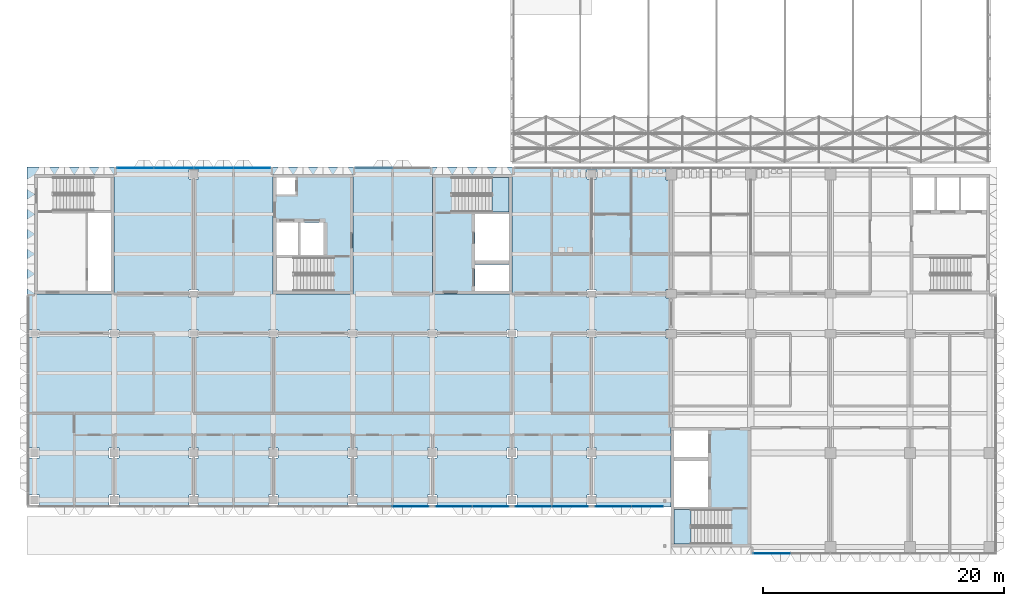
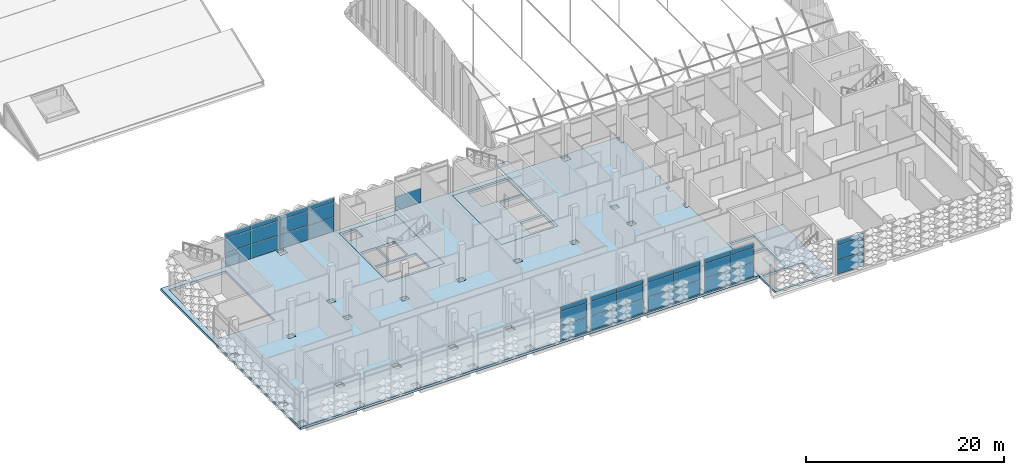
# One storey, part 42 of 109: 37 plates, 6 slabs, 9 elements without a shape of their own.
"""IFC4 building model written with IfcOpenShell, lengths in metres."""

from ifc_helpers import new_model, si_unit, direction, frame, origin, origin_2d, place, context, subcontext, project, spatial, polyline, rectangle, outline, extrude, material, layer, layer_set, type_object, element, aggregate, save


model = new_model("IFC4")

# Units and contexts
model_context = context("Model", 3, precision=1e-05, world=origin(), true_north=direction((0.0, 1.0)))
body_context = subcontext(model_context, "Body", "Model", "MODEL_VIEW")
ifc_project = project(units=[si_unit("LENGTHUNIT", "METRE"), si_unit("AREAUNIT", "SQUARE_METRE"), si_unit("VOLUMEUNIT", "CUBIC_METRE"), si_unit("PLANEANGLEUNIT", "RADIAN"), si_unit("MASSUNIT", "GRAM", prefix="KILO")], contexts=[model_context])

# Site, building, storey
site_placement = place(None, origin())
site = spatial("IfcSite", under=ifc_project, at=site_placement, CompositionType="ELEMENT")
building_placement = place(site_placement, origin())
building = spatial("IfcBuilding", under=site, at=building_placement, Name="Lantern Court Research Institute", CompositionType="ELEMENT")
storey_placement = place(building_placement, frame((0.0, 0.0, 14.39990234375)))
storey = spatial("IfcBuildingStorey", under=building, at=storey_placement, Name="L03", CompositionType="ELEMENT", Elevation=14.39990234375)

# Curtain wall, plate
ifc_material_1 = material(Name="Aluminium alloy 6063-T6", Category="aluminium")
curtain_wall_type_1 = type_object("IfcCurtainWallType", Name="Curtain wall 6150 x 4200 x 150 aluminium frame", PredefinedType="NOTDEFINED", material=ifc_material_1)
curtain_wall_1_placement = place(storey_placement, origin())
curtain_wall_1 = element("IfcCurtainWall", 1, at=curtain_wall_1_placement, inside=storey, type_object=curtain_wall_type_1, Name="Curtain wall CW052", PredefinedType="NOTDEFINED")
ifc_material_2 = material(Name="Insulated aluminium spandrel panel", Category="aluminium")
ifc_layer_1 = layer(ifc_material_2, 0.10009765625)
ifc_layer_set_1 = layer_set([ifc_layer_1], Name="Insulated aluminium spandrel panel")
plate_type_1 = type_object("IfcPlateType", Name="Insulated spandrel panel 100 mm for south sun", PredefinedType="CURTAIN_PANEL", material=ifc_layer_set_1)
plate_1_placement = place(storey_placement, frame((31.222412109375, -4.425048828125, 0.06005859375), z_axis=(0.0, 0.0, 1.0), x_axis=(-1.0, 0.0, 0.0)))
plate_1 = element("IfcPlate", 2, at=plate_1_placement, type_object=plate_type_1, Name="CW052 spandrel panel 2.1", PredefinedType="CURTAIN_PANEL", context=body_context, shape_type="SweptSolid", body=[
    extrude(rectangle(XDim=2.985107421875, YDim=0.10009765625, at=origin_2d()), origin(), (0.0, 0.0, 1.0), 1.7099609375),
])

# Curtain wall, plates
curtain_wall_2_placement = place(storey_placement, origin())
curtain_wall_2 = element("IfcCurtainWall", 3, at=curtain_wall_2_placement, inside=storey, type_object=curtain_wall_type_1, Name="Curtain wall CW053", PredefinedType="NOTDEFINED")
plate_2_placement = place(storey_placement, frame((34.777587890625, -4.425048828125, 0.06005859375), z_axis=(0.0, 0.0, 1.0), x_axis=(-1.0, 0.0, 0.0)))
plate_2 = element("IfcPlate", 4, at=plate_2_placement, type_object=plate_type_1, Name="CW053 spandrel panel 1.1", PredefinedType="CURTAIN_PANEL", context=body_context, shape_type="SweptSolid", body=[
    extrude(rectangle(XDim=2.985107421875, YDim=0.10009765625, at=origin_2d()), origin(), (0.0, 0.0, 1.0), 1.7099609375),
])
plate_3_placement = place(storey_placement, frame((37.822509765625, -4.425048828125, 0.06005859375), z_axis=(0.0, 0.0, 1.0), x_axis=(-1.0, 0.0, 0.0)))
plate_3 = element("IfcPlate", 5, at=plate_3_placement, type_object=plate_type_1, Name="CW053 spandrel panel 2.1", PredefinedType="CURTAIN_PANEL", context=body_context, shape_type="SweptSolid", body=[
    extrude(rectangle(XDim=2.985107421875, YDim=0.10009765625, at=origin_2d()), origin(), (0.0, 0.0, 1.0), 1.7099609375),
])

curtain_wall_3_placement = place(storey_placement, origin())
curtain_wall_3 = element("IfcCurtainWall", 6, at=curtain_wall_3_placement, inside=storey, type_object=curtain_wall_type_1, Name="Curtain wall CW054", PredefinedType="NOTDEFINED")
plate_4_placement = place(storey_placement, frame((41.37744140625, -4.425048828125, 0.06005859375), z_axis=(0.0, 0.0, 1.0), x_axis=(-1.0, 0.0, 0.0)))
plate_4 = element("IfcPlate", 7, at=plate_4_placement, type_object=plate_type_1, Name="CW054 spandrel panel 1.1", PredefinedType="CURTAIN_PANEL", context=body_context, shape_type="SweptSolid", body=[
    extrude(rectangle(XDim=2.985107421875, YDim=0.10009765625, at=origin_2d()), origin(), (0.0, 0.0, 1.0), 1.7099609375),
])
plate_5_placement = place(storey_placement, frame((44.422607421875, -4.425048828125, 0.06005859375), z_axis=(0.0, 0.0, 1.0), x_axis=(-1.0, 0.0, 0.0)))
plate_5 = element("IfcPlate", 8, at=plate_5_placement, type_object=plate_type_1, Name="CW054 spandrel panel 2.1", PredefinedType="CURTAIN_PANEL", context=body_context, shape_type="SweptSolid", body=[
    extrude(rectangle(XDim=2.985107421875, YDim=0.10009765625, at=origin_2d()), origin(), (0.0, 0.0, 1.0), 1.7099609375),
])

ifc_material_3 = material(Name="Aluminium alloy 6063-T6", Category="aluminium")
curtain_wall_type_2 = type_object("IfcCurtainWallType", Name="Curtain wall 5775 x 4200 x 150 aluminium frame", PredefinedType="NOTDEFINED", material=ifc_material_3)
curtain_wall_4_placement = place(storey_placement, origin())
curtain_wall_4 = element("IfcCurtainWall", 9, at=curtain_wall_4_placement, inside=storey, type_object=curtain_wall_type_2, Name="Curtain wall CW055", PredefinedType="NOTDEFINED")
plate_6_placement = place(storey_placement, frame((47.9775390625, -4.425048828125, 0.06005859375), z_axis=(0.0, 0.0, 1.0), x_axis=(-1.0, 0.0, 0.0)))
plate_6 = element("IfcPlate", 10, at=plate_6_placement, type_object=plate_type_1, Name="CW055 spandrel panel 1.1", PredefinedType="CURTAIN_PANEL", context=body_context, shape_type="SweptSolid", body=[
    extrude(rectangle(XDim=2.985107421875, YDim=0.10009765625, at=origin_2d()), origin(), (0.0, 0.0, 1.0), 1.7099609375),
])
plate_7_placement = place(storey_placement, frame((50.8349609375, -4.425048828125, 0.06005859375), z_axis=(0.0, 0.0, 1.0), x_axis=(-1.0, 0.0, 0.0)))
plate_7 = element("IfcPlate", 11, at=plate_7_placement, type_object=plate_type_1, Name="CW055 spandrel panel 2.1", PredefinedType="CURTAIN_PANEL", context=body_context, shape_type="SweptSolid", body=[
    extrude(rectangle(XDim=2.610107421875, YDim=0.10009765625, at=origin_2d()), origin(), (0.0, 0.0, 1.0), 1.7099609375),
])

# Curtain wall, plate
ifc_material_4 = material(Name="Aluminium alloy 6063-T6", Category="aluminium")
curtain_wall_type_3 = type_object("IfcCurtainWallType", Name="Curtain wall 20200 x 4200 x 150 aluminium frame", PredefinedType="NOTDEFINED", material=ifc_material_4)
curtain_wall_5_placement = place(storey_placement, origin())
curtain_wall_5 = element("IfcCurtainWall", 12, at=curtain_wall_5_placement, inside=storey, type_object=curtain_wall_type_3, Name="Curtain wall CW059", PredefinedType="NOTDEFINED")
plate_8_placement = place(storey_placement, frame((61.1650390625, -8.324951171875, 0.06005859375), z_axis=(0.0, 0.0, 1.0), x_axis=(-1.0, 0.0, 0.0)))
plate_8 = element("IfcPlate", 13, at=plate_8_placement, type_object=plate_type_1, Name="CW059 spandrel panel 1.1", PredefinedType="CURTAIN_PANEL", context=body_context, shape_type="SweptSolid", body=[
    extrude(rectangle(XDim=3.010009765625, YDim=0.10009765625, at=origin_2d()), origin(), (0.0, 0.0, 1.0), 1.7099609375),
])

# Curtain wall, plates
ifc_material_5 = material(Name="Aluminium alloy 6063-T6", Category="aluminium")
curtain_wall_type_4 = type_object("IfcCurtainWallType", Name="Curtain wall 12800 x 4200 x 150 aluminium frame", PredefinedType="NOTDEFINED", material=ifc_material_5)
curtain_wall_6_placement = place(storey_placement, origin())
curtain_wall_6 = element("IfcCurtainWall", 14, at=curtain_wall_6_placement, inside=storey, type_object=curtain_wall_type_4, Name="Curtain wall CW045", PredefinedType="NOTDEFINED")
ifc_material_6 = material(Name="Insulated aluminium spandrel panel", Category="aluminium")
ifc_layer_2 = layer(ifc_material_6, 0.06005859375)
ifc_layer_set_2 = layer_set([ifc_layer_2], Name="Insulated aluminium spandrel panel")
plate_type_2 = type_object("IfcPlateType", Name="Insulated spandrel panel 60 mm", PredefinedType="CURTAIN_PANEL", material=ifc_layer_set_2)
plate_9_placement = place(storey_placement, frame((8.364990234375, 23.625, 0.06005859375), z_axis=(0.0, 0.0, 1.0), x_axis=(1.0, 0.0, 0.0)))
plate_9 = element("IfcPlate", 15, at=plate_9_placement, type_object=plate_type_2, Name="CW045 spandrel panel 1.1", PredefinedType="CURTAIN_PANEL", context=body_context, shape_type="SweptSolid", body=[
    extrude(rectangle(XDim=3.010009765625, YDim=0.06005859375, at=origin_2d()), origin(), (0.0, 0.0, 1.0), 1.7099609375),
])
plate_10_placement = place(storey_placement, frame((11.550048828125, 23.625, 0.06005859375), z_axis=(0.0, 0.0, 1.0), x_axis=(1.0, 0.0, 0.0)))
plate_10 = element("IfcPlate", 16, at=plate_10_placement, type_object=plate_type_2, Name="CW045 spandrel panel 2.1", PredefinedType="CURTAIN_PANEL", context=body_context, shape_type="SweptSolid", body=[
    extrude(rectangle(XDim=3.239990234375, YDim=0.06005859375, at=origin_2d()), origin(), (0.0, 0.0, 1.0), 1.7099609375),
])
plate_11_placement = place(storey_placement, frame((14.85009765625, 23.625, 0.06005859375), z_axis=(0.0, 0.0, 1.0), x_axis=(1.0, 0.0, 0.0)))
plate_11 = element("IfcPlate", 17, at=plate_11_placement, type_object=plate_type_2, Name="CW045 spandrel panel 3.1", PredefinedType="CURTAIN_PANEL", context=body_context, shape_type="SweptSolid", body=[
    extrude(rectangle(XDim=3.239990234375, YDim=0.06005859375, at=origin_2d()), origin(), (0.0, 0.0, 1.0), 1.7099609375),
])
plate_12_placement = place(storey_placement, frame((18.034912109375, 23.625, 0.06005859375), z_axis=(0.0, 0.0, 1.0), x_axis=(1.0, 0.0, 0.0)))
plate_12 = element("IfcPlate", 18, at=plate_12_placement, type_object=plate_type_2, Name="CW045 spandrel panel 4.1", PredefinedType="CURTAIN_PANEL", context=body_context, shape_type="SweptSolid", body=[
    extrude(rectangle(XDim=3.010009765625, YDim=0.06005859375, at=origin_2d()), origin(), (0.0, 0.0, 1.0), 1.7099609375),
])

# Curtain wall, plate
ifc_material_7 = material(Name="Aluminium alloy 6063-T6", Category="aluminium")
curtain_wall_type_5 = type_object("IfcCurtainWallType", Name="Curtain wall 6200 x 4200 x 150 aluminium frame", PredefinedType="NOTDEFINED", material=ifc_material_7)
curtain_wall_7_placement = place(storey_placement, origin())
curtain_wall_7 = element("IfcCurtainWall", 19, at=curtain_wall_7_placement, inside=storey, type_object=curtain_wall_type_5, Name="Curtain wall CW046", PredefinedType="NOTDEFINED")
plate_13_placement = place(storey_placement, frame((28.1650390625, 23.625, 0.06005859375), z_axis=(0.0, 0.0, 1.0), x_axis=(1.0, 0.0, 0.0)))
plate_13 = element("IfcPlate", 20, at=plate_13_placement, type_object=plate_type_2, Name="CW046 spandrel panel 1.1", PredefinedType="CURTAIN_PANEL", context=body_context, shape_type="SweptSolid", body=[
    extrude(rectangle(XDim=3.010009765625, YDim=0.06005859375, at=origin_2d()), origin(), (0.0, 0.0, 1.0), 1.7099609375),
])
aggregate(curtain_wall_7, [plate_13])

# Plate
ifc_material_8 = material(Name="Laminated low-emissivity glass", Category="glass")
ifc_layer_3 = layer(ifc_material_8, 0.028076171875)
ifc_layer_set_3 = layer_set([ifc_layer_3], Name="Laminated low-emissivity glass")
plate_type_3 = type_object("IfcPlateType", Name="Laminated low-emissivity unit 28 mm", PredefinedType="CURTAIN_PANEL", material=ifc_layer_set_3)
plate_14_placement = place(storey_placement, frame((8.364990234375, 23.625, 1.830078125), z_axis=(0.0, 0.0, 1.0), x_axis=(1.0, 0.0, 0.0)))
plate_14 = element("IfcPlate", 21, at=plate_14_placement, type_object=plate_type_3, Name="CW045 glazed panel 1.2", PredefinedType="CURTAIN_PANEL", context=body_context, shape_type="SweptSolid", body=[
    extrude(rectangle(XDim=3.010009765625, YDim=0.028076171875, at=origin_2d()), origin(), (0.0, 0.0, 1.0), 1.739990234375),
])

plate_15_placement = place(storey_placement, frame((8.364990234375, 23.625, 3.6298828125), z_axis=(0.0, 0.0, 1.0), x_axis=(1.0, 0.0, 0.0)))
plate_15 = element("IfcPlate", 22, at=plate_15_placement, type_object=plate_type_3, Name="CW045 glazed panel 1.3", PredefinedType="CURTAIN_PANEL", context=body_context, shape_type="SweptSolid", body=[
    extrude(rectangle(XDim=3.010009765625, YDim=0.028076171875, at=origin_2d()), origin(), (0.0, 0.0, 1.0), 0.510009765625),
])

plate_16_placement = place(storey_placement, frame((11.550048828125, 23.625, 1.830078125), z_axis=(0.0, 0.0, 1.0), x_axis=(1.0, 0.0, 0.0)))
plate_16 = element("IfcPlate", 23, at=plate_16_placement, type_object=plate_type_3, Name="CW045 glazed panel 2.2", PredefinedType="CURTAIN_PANEL", context=body_context, shape_type="SweptSolid", body=[
    extrude(rectangle(XDim=3.239990234375, YDim=0.028076171875, at=origin_2d()), origin(), (0.0, 0.0, 1.0), 1.739990234375),
])

plate_17_placement = place(storey_placement, frame((11.550048828125, 23.625, 3.6298828125), z_axis=(0.0, 0.0, 1.0), x_axis=(1.0, 0.0, 0.0)))
plate_17 = element("IfcPlate", 24, at=plate_17_placement, type_object=plate_type_3, Name="CW045 glazed panel 2.3", PredefinedType="CURTAIN_PANEL", context=body_context, shape_type="SweptSolid", body=[
    extrude(rectangle(XDim=3.239990234375, YDim=0.028076171875, at=origin_2d()), origin(), (0.0, 0.0, 1.0), 0.510009765625),
])

plate_18_placement = place(storey_placement, frame((14.85009765625, 23.625, 1.830078125), z_axis=(0.0, 0.0, 1.0), x_axis=(1.0, 0.0, 0.0)))
plate_18 = element("IfcPlate", 25, at=plate_18_placement, type_object=plate_type_3, Name="CW045 glazed panel 3.2", PredefinedType="CURTAIN_PANEL", context=body_context, shape_type="SweptSolid", body=[
    extrude(rectangle(XDim=3.239990234375, YDim=0.028076171875, at=origin_2d()), origin(), (0.0, 0.0, 1.0), 1.739990234375),
])

plate_19_placement = place(storey_placement, frame((14.85009765625, 23.625, 3.6298828125), z_axis=(0.0, 0.0, 1.0), x_axis=(1.0, 0.0, 0.0)))
plate_19 = element("IfcPlate", 26, at=plate_19_placement, type_object=plate_type_3, Name="CW045 glazed panel 3.3", PredefinedType="CURTAIN_PANEL", context=body_context, shape_type="SweptSolid", body=[
    extrude(rectangle(XDim=3.239990234375, YDim=0.028076171875, at=origin_2d()), origin(), (0.0, 0.0, 1.0), 0.510009765625),
])

plate_20_placement = place(storey_placement, frame((18.034912109375, 23.625, 1.830078125), z_axis=(0.0, 0.0, 1.0), x_axis=(1.0, 0.0, 0.0)))
plate_20 = element("IfcPlate", 27, at=plate_20_placement, type_object=plate_type_3, Name="CW045 glazed panel 4.2", PredefinedType="CURTAIN_PANEL", context=body_context, shape_type="SweptSolid", body=[
    extrude(rectangle(XDim=3.010009765625, YDim=0.028076171875, at=origin_2d()), origin(), (0.0, 0.0, 1.0), 1.739990234375),
])

plate_21_placement = place(storey_placement, frame((18.034912109375, 23.625, 3.6298828125), z_axis=(0.0, 0.0, 1.0), x_axis=(1.0, 0.0, 0.0)))
plate_21 = element("IfcPlate", 28, at=plate_21_placement, type_object=plate_type_3, Name="CW045 glazed panel 4.3", PredefinedType="CURTAIN_PANEL", context=body_context, shape_type="SweptSolid", body=[
    extrude(rectangle(XDim=3.010009765625, YDim=0.028076171875, at=origin_2d()), origin(), (0.0, 0.0, 1.0), 0.510009765625),
])

aggregate(curtain_wall_6, [plate_9, plate_14, plate_15, plate_10, plate_16, plate_17, plate_11, plate_18, plate_19, plate_12, plate_20, plate_21])

# Slabs
ifc_material_9 = material(Name="Concrete C35/45", Category="concrete")
ifc_layer_4 = layer(ifc_material_9, 0.300048828125)
ifc_layer_set_4 = layer_set([ifc_layer_4], Name="Concrete C35/45")
slab_type_1 = type_object("IfcSlabType", Name="RC core floor slab 300", PredefinedType="FLOOR", material=ifc_layer_set_4)
slab_1_placement = place(storey_placement, frame((0.0, 0.0, -0.2998046875)))
element("IfcSlab", 29, at=slab_1_placement, inside=storey, type_object=slab_type_1, Name="Floor of core BC-M", PredefinedType="FLOOR", context=body_context, shape_type="SweptSolid", body=[
    extrude(outline(polyline([(19.800048828125, 13.199951171875), (26.39990234375, 13.199951171875), (26.39990234375, 23.10009765625), (19.800048828125, 23.10009765625), (19.800048828125, 13.199951171875)]), holes=[polyline([(24.800048828125, 16.199951171875), (20.050048828125, 16.199951171875), (20.050048828125, 13.449951171875), (24.800048828125, 13.449951171875), (24.800048828125, 16.199951171875)]), polyline([(20.050048828125, 16.39990234375), (21.85009765625, 16.39990234375), (21.85009765625, 19.10009765625), (20.050048828125, 19.10009765625), (20.050048828125, 16.39990234375)]), polyline([(22.050048828125, 16.39990234375), (23.949951171875, 16.39990234375), (23.949951171875, 19.10009765625), (22.050048828125, 19.10009765625), (22.050048828125, 16.39990234375)]), polyline([(21.64990234375, 21.449951171875), (20.050048828125, 21.449951171875), (20.050048828125, 22.85009765625), (21.64990234375, 22.85009765625), (21.64990234375, 21.449951171875)])]), origin(), (0.0, 0.0, 1.0), 0.2998046875),
])
slab_2_placement = place(storey_placement, frame((0.0, 0.0, -0.2998046875)))
element("IfcSlab", 30, at=slab_2_placement, inside=storey, type_object=slab_type_1, Name="Floor of core BC-E", PredefinedType="FLOOR", context=body_context, shape_type="SweptSolid", body=[
    extrude(outline(polyline([(33.0, 13.199951171875), (39.60009765625, 13.199951171875), (39.60009765625, 23.10009765625), (33.0, 23.10009765625), (33.0, 13.199951171875)]), holes=[polyline([(34.64990234375, 20.0), (39.35009765625, 20.0), (39.35009765625, 22.85009765625), (34.64990234375, 22.85009765625), (34.64990234375, 20.0)]), polyline([(36.550048828125, 13.449951171875), (39.35009765625, 13.449951171875), (39.35009765625, 15.64990234375), (36.550048828125, 15.64990234375), (36.550048828125, 13.449951171875)]), polyline([(39.35009765625, 15.949951171875), (36.550048828125, 15.949951171875), (36.550048828125, 19.800048828125), (39.35009765625, 19.800048828125), (39.35009765625, 15.949951171875)])]), origin(), (0.0, 0.0, 1.0), 0.2998046875),
])
slab_3_placement = place(storey_placement, frame((0.0, 0.0, -0.2998046875)))
element("IfcSlab", 31, at=slab_3_placement, inside=storey, type_object=slab_type_1, Name="Floor of core TC-W", PredefinedType="FLOOR", context=body_context, shape_type="SweptSolid", body=[
    extrude(outline(polyline([(52.800048828125, -7.800048828125), (59.39990234375, -7.800048828125), (59.39990234375, 2.10009765625), (52.800048828125, 2.10009765625), (52.800048828125, -7.800048828125)]), holes=[polyline([(57.75, -4.699951171875), (53.050048828125, -4.699951171875), (53.050048828125, -7.550048828125), (57.75, -7.550048828125), (57.75, -4.699951171875)]), polyline([(53.050048828125, -0.35009765625), (55.85009765625, -0.35009765625), (55.85009765625, 1.85009765625), (53.050048828125, 1.85009765625), (53.050048828125, -0.35009765625)]), polyline([(53.050048828125, -0.64990234375), (55.85009765625, -0.64990234375), (55.85009765625, -4.5), (53.050048828125, -4.5), (53.050048828125, -0.64990234375)])]), origin(), (0.0, 0.0, 1.0), 0.2998046875),
])
ifc_material_10 = material(Name="Concrete C35/45", Category="concrete")
ifc_layer_5 = layer(ifc_material_10, 0.300048828125)
ifc_layer_set_5 = layer_set([ifc_layer_5], Name="Concrete C35/45")
slab_type_2 = type_object("IfcSlabType", Name="RC floor slab 300", PredefinedType="FLOOR", material=ifc_layer_set_5)
slab_4_placement = place(storey_placement, frame((0.0, 0.0, -0.2998046875)))
element("IfcSlab", 32, at=slab_4_placement, inside=storey, type_object=slab_type_2, Name="Floor slab L03 Wet Laboratory Wing", PredefinedType="FLOOR", context=body_context, shape_type="SweptSolid", body=[
    extrude(outline(polyline([(-0.60009765625, -3.89990234375), (-0.60009765625, -4.5), (52.800048828125, -4.5), (52.800048828125, -3.89990234375), (52.800048828125, 2.10009765625), (52.800048828125, 9.550048828125), (52.35009765625, 9.550048828125), (52.35009765625, 10.25), (52.800048828125, 10.25), (52.800048828125, 12.85009765625), (52.35009765625, 12.85009765625), (52.35009765625, 13.550048828125), (52.800048828125, 13.550048828125), (52.800048828125, 22.64990234375), (52.35009765625, 22.64990234375), (52.35009765625, 23.550048828125), (52.800048828125, 23.550048828125), (52.800048828125, 23.699951171875), (-0.60009765625, 23.699951171875), (-0.60009765625, 23.10009765625), (-0.60009765625, -3.89990234375)]), holes=[polyline([(0.39990234375, -4.300048828125), (-0.39990234375, -4.300048828125), (-0.39990234375, -3.5), (0.39990234375, -3.5), (0.39990234375, -4.300048828125)]), polyline([(26.800048828125, -4.300048828125), (26.0, -4.300048828125), (26.0, -3.5), (26.800048828125, -3.5), (26.800048828125, -4.300048828125)]), polyline([(7.0, -4.300048828125), (6.199951171875, -4.300048828125), (6.199951171875, -3.5), (7.0, -3.5), (7.0, -4.300048828125)]), polyline([(20.199951171875, -4.300048828125), (19.39990234375, -4.300048828125), (19.39990234375, -3.5), (20.199951171875, -3.5), (20.199951171875, -4.300048828125)]), polyline([(13.60009765625, -4.300048828125), (12.800048828125, -4.300048828125), (12.800048828125, -3.5), (13.60009765625, -3.5), (13.60009765625, -4.300048828125)]), polyline([(0.39990234375, -0.39990234375), (-0.39990234375, -0.39990234375), (-0.39990234375, 0.39990234375), (0.39990234375, 0.39990234375), (0.39990234375, -0.39990234375)]), polyline([(26.800048828125, -0.39990234375), (26.0, -0.39990234375), (26.0, 0.39990234375), (26.800048828125, 0.39990234375), (26.800048828125, -0.39990234375)]), polyline([(19.39990234375, -0.39990234375), (19.39990234375, 0.39990234375), (20.199951171875, 0.39990234375), (20.199951171875, -0.39990234375), (19.39990234375, -0.39990234375)]), polyline([(12.800048828125, -0.39990234375), (12.800048828125, 0.39990234375), (13.60009765625, 0.39990234375), (13.60009765625, -0.39990234375), (12.800048828125, -0.39990234375)]), polyline([(7.0, -0.39990234375), (6.199951171875, -0.39990234375), (6.199951171875, 0.39990234375), (7.0, 0.39990234375), (7.0, -0.39990234375)]), polyline([(7.0, 9.60009765625), (6.199951171875, 9.60009765625), (6.199951171875, 10.199951171875), (7.0, 10.199951171875), (7.0, 9.60009765625)]), polyline([(13.60009765625, 9.60009765625), (12.800048828125, 9.60009765625), (12.800048828125, 10.199951171875), (13.60009765625, 10.199951171875), (13.60009765625, 9.60009765625)]), polyline([(19.39990234375, 9.60009765625), (19.39990234375, 10.199951171875), (20.199951171875, 10.199951171875), (20.199951171875, 9.60009765625), (19.39990234375, 9.60009765625)]), polyline([(26.0, 9.60009765625), (26.0, 10.199951171875), (26.800048828125, 10.199951171875), (26.800048828125, 9.60009765625), (26.0, 9.60009765625)]), polyline([(0.39990234375, 9.60009765625), (-0.39990234375, 9.60009765625), (-0.39990234375, 10.199951171875), (0.39990234375, 10.199951171875), (0.39990234375, 9.60009765625)]), polyline([(13.60009765625, 12.89990234375), (12.800048828125, 12.89990234375), (12.800048828125, 13.5), (13.60009765625, 13.5), (13.60009765625, 12.89990234375)]), polyline([(26.39990234375, 13.199951171875), (19.800048828125, 13.199951171875), (19.800048828125, 23.10009765625), (26.39990234375, 23.10009765625), (26.39990234375, 13.199951171875)]), polyline([(0.0, 13.199951171875), (0.0, 23.10009765625), (6.60009765625, 23.10009765625), (6.60009765625, 13.199951171875), (0.0, 13.199951171875)]), polyline([(12.800048828125, 22.699951171875), (12.800048828125, 23.5), (13.60009765625, 23.5), (13.60009765625, 22.699951171875), (12.800048828125, 22.699951171875)]), polyline([(33.39990234375, -4.300048828125), (32.60009765625, -4.300048828125), (32.60009765625, -3.5), (33.39990234375, -3.5), (33.39990234375, -4.300048828125)]), polyline([(40.0, -4.300048828125), (39.199951171875, -4.300048828125), (39.199951171875, -3.5), (40.0, -3.5), (40.0, -4.300048828125)]), polyline([(45.800048828125, -4.300048828125), (45.800048828125, -3.5), (46.60009765625, -3.5), (46.60009765625, -4.300048828125), (45.800048828125, -4.300048828125)]), polyline([(33.39990234375, -0.39990234375), (32.60009765625, -0.39990234375), (32.60009765625, 0.39990234375), (33.39990234375, 0.39990234375), (33.39990234375, -0.39990234375)]), polyline([(40.0, -0.39990234375), (39.199951171875, -0.39990234375), (39.199951171875, 0.39990234375), (40.0, 0.39990234375), (40.0, -0.39990234375)]), polyline([(46.60009765625, -0.39990234375), (45.800048828125, -0.39990234375), (45.800048828125, 0.39990234375), (46.60009765625, 0.39990234375), (46.60009765625, -0.39990234375)]), polyline([(32.60009765625, 9.60009765625), (32.60009765625, 10.199951171875), (33.39990234375, 10.199951171875), (33.39990234375, 9.60009765625), (32.60009765625, 9.60009765625)]), polyline([(39.199951171875, 9.60009765625), (39.199951171875, 10.199951171875), (40.0, 10.199951171875), (40.0, 9.60009765625), (39.199951171875, 9.60009765625)]), polyline([(46.60009765625, 9.60009765625), (45.800048828125, 9.60009765625), (45.800048828125, 10.199951171875), (46.60009765625, 10.199951171875), (46.60009765625, 9.60009765625)]), polyline([(46.60009765625, 12.89990234375), (45.800048828125, 12.89990234375), (45.800048828125, 13.5), (46.60009765625, 13.5), (46.60009765625, 12.89990234375)]), polyline([(39.60009765625, 13.199951171875), (33.0, 13.199951171875), (33.0, 23.10009765625), (39.60009765625, 23.10009765625), (39.60009765625, 13.199951171875)]), polyline([(46.60009765625, 22.699951171875), (45.800048828125, 22.699951171875), (45.800048828125, 23.5), (46.60009765625, 23.5), (46.60009765625, 22.699951171875)])]), origin(), (0.0, 0.0, 1.0), 0.2998046875),
])

# Stair, slab
ifc_material_11 = material(Name="Concrete C40/50", Category="concrete")
stair_type = type_object("IfcStairType", Name="RC half-turn stair 1350 wide, 4500 rise, 6100 shaft", PredefinedType="HALF_TURN_STAIR", material=ifc_material_11)
stair_1_placement = place(storey_placement, origin())
stair_1 = element("IfcStair", 33, at=stair_1_placement, inside=storey, type_object=stair_type, Name="L03 stair ST-B3", PredefinedType="HALF_TURN_STAIR")
ifc_material_12 = material(Name="Concrete C40/50", Category="concrete")
ifc_layer_6 = layer(ifc_material_12, 0.199951171875)
ifc_layer_set_6 = layer_set([ifc_layer_6], Name="Concrete C40/50")
slab_type_3 = type_object("IfcSlabType", Name="RC stair landing 200", PredefinedType="LANDING", material=ifc_layer_set_6)
slab_5_placement = place(storey_placement, frame((0.0, 0.0, 2.050048828125)))
slab_5 = element("IfcSlab", 34, at=slab_5_placement, type_object=slab_type_3, Name="ST-B3 landing 1", PredefinedType="LANDING", context=body_context, shape_type="SweptSolid", body=[
    extrude(outline(polyline([(37.9599609375, 20.0), (39.35009765625, 20.0), (39.35009765625, 22.85009765625), (37.9599609375, 22.85009765625), (37.9599609375, 20.0)])), origin(), (0.0, 0.0, 1.0), 0.199951171875),
])
aggregate(stair_1, [slab_5])

stair_2_placement = place(storey_placement, origin())
stair_2 = element("IfcStair", 35, at=stair_2_placement, inside=storey, type_object=stair_type, Name="L03 stair ST-T1", PredefinedType="HALF_TURN_STAIR")
slab_6_placement = place(storey_placement, frame((0.0, 0.0, 2.050048828125)))
slab_6 = element("IfcSlab", 36, at=slab_6_placement, type_object=slab_type_3, Name="ST-T1 landing 1", PredefinedType="LANDING", context=body_context, shape_type="SweptSolid", body=[
    extrude(outline(polyline([(54.43994140625, -4.699951171875), (53.050048828125, -4.699951171875), (53.050048828125, -7.550048828125), (54.43994140625, -7.550048828125), (54.43994140625, -4.699951171875)])), origin(), (0.0, 0.0, 1.0), 0.199951171875),
])
aggregate(stair_2, [slab_6])

# Plate
ifc_material_13 = material(Name="Laminated low-emissivity glass", Category="glass")
ifc_layer_7 = layer(ifc_material_13, 0.035888671875)
ifc_layer_set_7 = layer_set([ifc_layer_7], Name="Laminated low-emissivity glass")
plate_type_4 = type_object("IfcPlateType", Name="Solar control laminated unit 36 mm", PredefinedType="CURTAIN_PANEL", material=ifc_layer_set_7)
plate_22_placement = place(storey_placement, frame((31.222412109375, -4.425048828125, 1.830078125), z_axis=(0.0, 0.0, 1.0), x_axis=(-1.0, 0.0, 0.0)))
plate_22 = element("IfcPlate", 37, at=plate_22_placement, type_object=plate_type_4, Name="CW052 glazed panel 2.2", PredefinedType="CURTAIN_PANEL", context=body_context, shape_type="SweptSolid", body=[
    extrude(rectangle(XDim=2.985107421875, YDim=0.035888671875, at=origin_2d()), origin(), (0.0, 0.0, 1.0), 1.739990234375),
])

plate_23_placement = place(storey_placement, frame((31.222412109375, -4.425048828125, 3.6298828125), z_axis=(0.0, 0.0, 1.0), x_axis=(-1.0, 0.0, 0.0)))
plate_23 = element("IfcPlate", 38, at=plate_23_placement, type_object=plate_type_4, Name="CW052 glazed panel 2.3", PredefinedType="CURTAIN_PANEL", context=body_context, shape_type="SweptSolid", body=[
    extrude(rectangle(XDim=2.985107421875, YDim=0.035888671875, at=origin_2d()), origin(), (0.0, 0.0, 1.0), 0.510009765625),
])

aggregate(curtain_wall_1, [plate_1, plate_22, plate_23])

plate_24_placement = place(storey_placement, frame((34.777587890625, -4.425048828125, 1.830078125), z_axis=(0.0, 0.0, 1.0), x_axis=(-1.0, 0.0, 0.0)))
plate_24 = element("IfcPlate", 39, at=plate_24_placement, type_object=plate_type_4, Name="CW053 glazed panel 1.2", PredefinedType="CURTAIN_PANEL", context=body_context, shape_type="SweptSolid", body=[
    extrude(rectangle(XDim=2.985107421875, YDim=0.035888671875, at=origin_2d()), origin(), (0.0, 0.0, 1.0), 1.739990234375),
])

plate_25_placement = place(storey_placement, frame((34.777587890625, -4.425048828125, 3.6298828125), z_axis=(0.0, 0.0, 1.0), x_axis=(-1.0, 0.0, 0.0)))
plate_25 = element("IfcPlate", 40, at=plate_25_placement, type_object=plate_type_4, Name="CW053 glazed panel 1.3", PredefinedType="CURTAIN_PANEL", context=body_context, shape_type="SweptSolid", body=[
    extrude(rectangle(XDim=2.985107421875, YDim=0.035888671875, at=origin_2d()), origin(), (0.0, 0.0, 1.0), 0.510009765625),
])

plate_26_placement = place(storey_placement, frame((37.822509765625, -4.425048828125, 1.830078125), z_axis=(0.0, 0.0, 1.0), x_axis=(-1.0, 0.0, 0.0)))
plate_26 = element("IfcPlate", 41, at=plate_26_placement, type_object=plate_type_4, Name="CW053 glazed panel 2.2", PredefinedType="CURTAIN_PANEL", context=body_context, shape_type="SweptSolid", body=[
    extrude(rectangle(XDim=2.985107421875, YDim=0.035888671875, at=origin_2d()), origin(), (0.0, 0.0, 1.0), 1.739990234375),
])

plate_27_placement = place(storey_placement, frame((37.822509765625, -4.425048828125, 3.6298828125), z_axis=(0.0, 0.0, 1.0), x_axis=(-1.0, 0.0, 0.0)))
plate_27 = element("IfcPlate", 42, at=plate_27_placement, type_object=plate_type_4, Name="CW053 glazed panel 2.3", PredefinedType="CURTAIN_PANEL", context=body_context, shape_type="SweptSolid", body=[
    extrude(rectangle(XDim=2.985107421875, YDim=0.035888671875, at=origin_2d()), origin(), (0.0, 0.0, 1.0), 0.510009765625),
])

aggregate(curtain_wall_2, [plate_2, plate_24, plate_25, plate_3, plate_26, plate_27])

plate_28_placement = place(storey_placement, frame((41.37744140625, -4.425048828125, 1.830078125), z_axis=(0.0, 0.0, 1.0), x_axis=(-1.0, 0.0, 0.0)))
plate_28 = element("IfcPlate", 43, at=plate_28_placement, type_object=plate_type_4, Name="CW054 glazed panel 1.2", PredefinedType="CURTAIN_PANEL", context=body_context, shape_type="SweptSolid", body=[
    extrude(rectangle(XDim=2.985107421875, YDim=0.035888671875, at=origin_2d()), origin(), (0.0, 0.0, 1.0), 1.739990234375),
])

plate_29_placement = place(storey_placement, frame((41.37744140625, -4.425048828125, 3.6298828125), z_axis=(0.0, 0.0, 1.0), x_axis=(-1.0, 0.0, 0.0)))
plate_29 = element("IfcPlate", 44, at=plate_29_placement, type_object=plate_type_4, Name="CW054 glazed panel 1.3", PredefinedType="CURTAIN_PANEL", context=body_context, shape_type="SweptSolid", body=[
    extrude(rectangle(XDim=2.985107421875, YDim=0.035888671875, at=origin_2d()), origin(), (0.0, 0.0, 1.0), 0.510009765625),
])

plate_30_placement = place(storey_placement, frame((44.422607421875, -4.425048828125, 1.830078125), z_axis=(0.0, 0.0, 1.0), x_axis=(-1.0, 0.0, 0.0)))
plate_30 = element("IfcPlate", 45, at=plate_30_placement, type_object=plate_type_4, Name="CW054 glazed panel 2.2", PredefinedType="CURTAIN_PANEL", context=body_context, shape_type="SweptSolid", body=[
    extrude(rectangle(XDim=2.985107421875, YDim=0.035888671875, at=origin_2d()), origin(), (0.0, 0.0, 1.0), 1.739990234375),
])

plate_31_placement = place(storey_placement, frame((44.422607421875, -4.425048828125, 3.6298828125), z_axis=(0.0, 0.0, 1.0), x_axis=(-1.0, 0.0, 0.0)))
plate_31 = element("IfcPlate", 46, at=plate_31_placement, type_object=plate_type_4, Name="CW054 glazed panel 2.3", PredefinedType="CURTAIN_PANEL", context=body_context, shape_type="SweptSolid", body=[
    extrude(rectangle(XDim=2.985107421875, YDim=0.035888671875, at=origin_2d()), origin(), (0.0, 0.0, 1.0), 0.510009765625),
])

aggregate(curtain_wall_3, [plate_4, plate_28, plate_29, plate_5, plate_30, plate_31])

plate_32_placement = place(storey_placement, frame((47.9775390625, -4.425048828125, 1.830078125), z_axis=(0.0, 0.0, 1.0), x_axis=(-1.0, 0.0, 0.0)))
plate_32 = element("IfcPlate", 47, at=plate_32_placement, type_object=plate_type_4, Name="CW055 glazed panel 1.2", PredefinedType="CURTAIN_PANEL", context=body_context, shape_type="SweptSolid", body=[
    extrude(rectangle(XDim=2.985107421875, YDim=0.035888671875, at=origin_2d()), origin(), (0.0, 0.0, 1.0), 1.739990234375),
])

plate_33_placement = place(storey_placement, frame((47.9775390625, -4.425048828125, 3.6298828125), z_axis=(0.0, 0.0, 1.0), x_axis=(-1.0, 0.0, 0.0)))
plate_33 = element("IfcPlate", 48, at=plate_33_placement, type_object=plate_type_4, Name="CW055 glazed panel 1.3", PredefinedType="CURTAIN_PANEL", context=body_context, shape_type="SweptSolid", body=[
    extrude(rectangle(XDim=2.985107421875, YDim=0.035888671875, at=origin_2d()), origin(), (0.0, 0.0, 1.0), 0.510009765625),
])

plate_34_placement = place(storey_placement, frame((50.8349609375, -4.425048828125, 1.830078125), z_axis=(0.0, 0.0, 1.0), x_axis=(-1.0, 0.0, 0.0)))
plate_34 = element("IfcPlate", 49, at=plate_34_placement, type_object=plate_type_4, Name="CW055 glazed panel 2.2", PredefinedType="CURTAIN_PANEL", context=body_context, shape_type="SweptSolid", body=[
    extrude(rectangle(XDim=2.610107421875, YDim=0.035888671875, at=origin_2d()), origin(), (0.0, 0.0, 1.0), 1.739990234375),
])

plate_35_placement = place(storey_placement, frame((50.8349609375, -4.425048828125, 3.6298828125), z_axis=(0.0, 0.0, 1.0), x_axis=(-1.0, 0.0, 0.0)))
plate_35 = element("IfcPlate", 50, at=plate_35_placement, type_object=plate_type_4, Name="CW055 glazed panel 2.3", PredefinedType="CURTAIN_PANEL", context=body_context, shape_type="SweptSolid", body=[
    extrude(rectangle(XDim=2.610107421875, YDim=0.035888671875, at=origin_2d()), origin(), (0.0, 0.0, 1.0), 0.510009765625),
])

aggregate(curtain_wall_4, [plate_6, plate_32, plate_33, plate_7, plate_34, plate_35])

plate_36_placement = place(storey_placement, frame((61.1650390625, -8.324951171875, 1.830078125), z_axis=(0.0, 0.0, 1.0), x_axis=(-1.0, 0.0, 0.0)))
plate_36 = element("IfcPlate", 51, at=plate_36_placement, type_object=plate_type_4, Name="CW059 glazed panel 1.2", PredefinedType="CURTAIN_PANEL", context=body_context, shape_type="SweptSolid", body=[
    extrude(rectangle(XDim=3.010009765625, YDim=0.035888671875, at=origin_2d()), origin(), (0.0, 0.0, 1.0), 1.739990234375),
])

plate_37_placement = place(storey_placement, frame((61.1650390625, -8.324951171875, 3.6298828125), z_axis=(0.0, 0.0, 1.0), x_axis=(-1.0, 0.0, 0.0)))
plate_37 = element("IfcPlate", 52, at=plate_37_placement, type_object=plate_type_4, Name="CW059 glazed panel 1.3", PredefinedType="CURTAIN_PANEL", context=body_context, shape_type="SweptSolid", body=[
    extrude(rectangle(XDim=3.010009765625, YDim=0.035888671875, at=origin_2d()), origin(), (0.0, 0.0, 1.0), 0.510009765625),
])

aggregate(curtain_wall_5, [plate_8, plate_36, plate_37])

save(model, "model.ifc")
